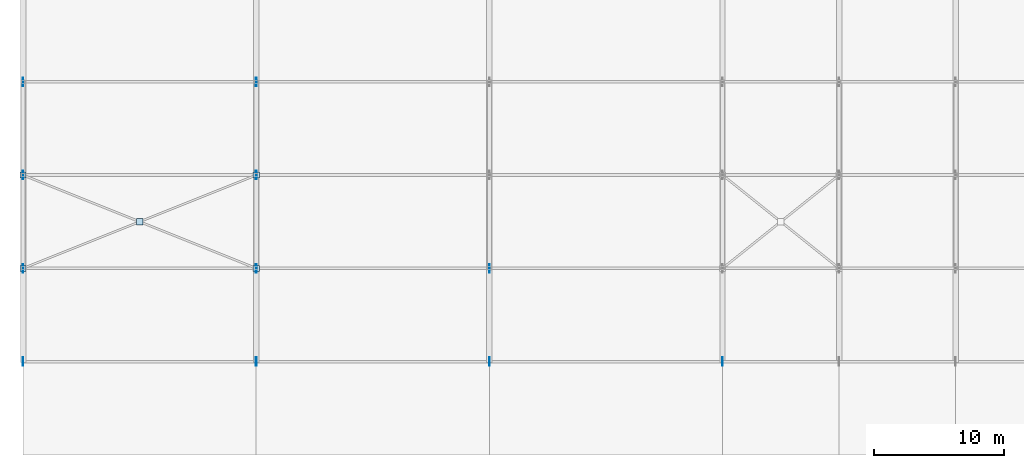
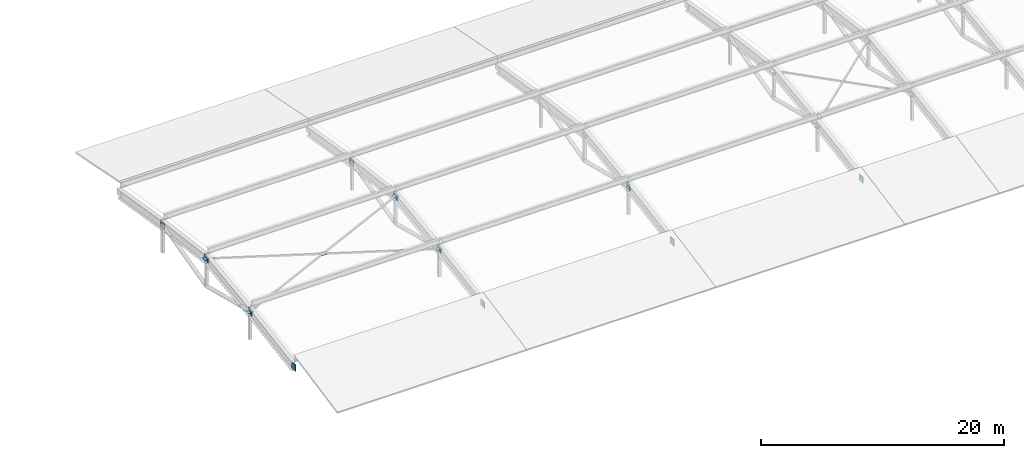
# One storey, part 57 of 78: 16 plates.
"""IFC4 building model written with IfcOpenShell, lengths in metres."""

from ifc_helpers import new_model, si_unit, direction, frame, origin, origin_2d, place, context, subcontext, project, spatial, rectangle, extrude, material, layer, layer_set, type_object, element, save


model = new_model("IFC4")

# Units and contexts
model_context = context("Model", 3, precision=1e-05, world=origin(), true_north=direction((0.0, 1.0)))
body_context = subcontext(model_context, "Body", "Model", "MODEL_VIEW")
ifc_project = project(units=[si_unit("LENGTHUNIT", "METRE"), si_unit("AREAUNIT", "SQUARE_METRE"), si_unit("VOLUMEUNIT", "CUBIC_METRE"), si_unit("PLANEANGLEUNIT", "RADIAN"), si_unit("MASSUNIT", "GRAM", prefix="KILO")], contexts=[model_context])

# Site, building, storey
site_placement = place(None, origin())
site = spatial("IfcSite", under=ifc_project, at=site_placement, CompositionType="ELEMENT")
building_placement = place(site_placement, origin())
building = spatial("IfcBuilding", under=site, at=building_placement, Name="Celestram Park Convention Centre", CompositionType="ELEMENT")
storey_placement = place(building_placement, frame((0.0, 0.0, 19.800048828125)))
storey = spatial("IfcBuildingStorey", under=building, at=storey_placement, Name="L04", CompositionType="ELEMENT", Elevation=19.800048828125)

# Plates
ifc_material = material(Name="Steel ASTM A572 Grade 50", Category="steel")
ifc_layer_1 = layer(ifc_material, 0.031982421875)
ifc_layer_set_1 = layer_set([ifc_layer_1], Name="Steel ASTM A572 Grade 50")
plate_type_1 = type_object("IfcPlateType", Name="STR-PLT-GP32", PredefinedType="USERDEFINED", material=ifc_layer_set_1)
for number, where, z_axis, x_axis, name in (
    (1, (9.0, 61.199951171875, 2.10498046875), (0.0, 0.0, 1.0), (1.0, 0.0, 0.0), "X-brace midpoint crossing gusset GP-L04-493"),
    (2, (0.0, 57.60009765625, 1.62548828125), (0.0, 0.0, 1.0), (1.0, 0.0, 0.0), "X-brace end gusset GP-L04-494"),
    (3, (18.0, 64.800048828125, 2.583984375), (0.0, 0.0, 1.0), (1.0, 0.0, 0.0), "X-brace end gusset GP-L04-495"),
    (4, (18.0, 57.60009765625, 1.62548828125), (0.0, 0.0, 1.0), (1.0, 0.0, 0.0), "X-brace end gusset GP-L04-496"),
    (5, (0.0, 64.800048828125, 2.583984375), (0.0, 0.0, 1.0), (1.0, 0.0, 0.0), "X-brace end gusset GP-L04-497"),
):
    element("IfcPlate", number, at=place(storey_placement, frame(where, z_axis=z_axis, x_axis=x_axis)), inside=storey, type_object=plate_type_1, Name=name, ObjectType="GUSSET_PLATE", PredefinedType="USERDEFINED", context=body_context, shape_type="SweptSolid", body=[
        extrude(rectangle(XDim=0.47998046875, YDim=0.47998046875, at=origin_2d()), origin(), (0.0, 0.0, 1.0), 0.031982421875),
    ])
ifc_layer_2 = layer(ifc_material, 0.050048828125)
ifc_layer_set_2 = layer_set([ifc_layer_2], Name="Steel ASTM A572 Grade 50")
plate_type_2 = type_object("IfcPlateType", Name="STR-PLT-GP50", PredefinedType="USERDEFINED", material=ifc_layer_set_2)
for number, where, z_axis, x_axis, name in (
    (6, (0.0, 50.39990234375, 0.15673828125), (0.0, 0.0, 1.0), (0.0, 1.0, 0.0), "V1 truss node gusset plate"),
    (7, (0.0, 57.60009765625, 1.34521484375), (0.0, 0.0, 1.0), (0.0, 1.0, 0.0), "V1 truss node gusset plate"),
    (8, (0.0, 64.800048828125, 2.303466796875), (0.0, 0.0, 1.0), (0.0, 1.0, 0.0), "V1 truss node gusset plate"),
    (9, (0.0, 72.0, 1.34521484375), (0.0, 0.0, 1.0), (0.0, 1.0, 0.0), "V1 truss node gusset plate"),
    (10, (18.0, 50.39990234375, 0.15673828125), (0.0, 0.0, 1.0), (0.0, 1.0, 0.0), "V1 truss node gusset plate"),
    (11, (18.0, 57.60009765625, 1.34521484375), (0.0, 0.0, 1.0), (0.0, 1.0, 0.0), "V1 truss node gusset plate"),
    (12, (18.0, 64.800048828125, 2.303466796875), (0.0, 0.0, 1.0), (0.0, 1.0, 0.0), "V1 truss node gusset plate"),
    (13, (18.0, 72.0, 1.34521484375), (0.0, 0.0, 1.0), (0.0, 1.0, 0.0), "V1 truss node gusset plate"),
    (14, (36.0, 50.39990234375, 0.15673828125), (0.0, 0.0, 1.0), (0.0, 1.0, 0.0), "V1 truss node gusset plate"),
    (15, (36.0, 57.60009765625, 1.34521484375), (0.0, 0.0, 1.0), (0.0, 1.0, 0.0), "V1 truss node gusset plate"),
    (16, (54.0, 50.39990234375, 0.15673828125), (0.0, 0.0, 1.0), (0.0, 1.0, 0.0), "V1 truss node gusset plate"),
):
    element("IfcPlate", number, at=place(storey_placement, frame(where, z_axis=z_axis, x_axis=x_axis)), inside=storey, type_object=plate_type_2, Name=name, ObjectType="GUSSET_PLATE", PredefinedType="USERDEFINED", context=body_context, shape_type="SweptSolid", body=[
        extrude(rectangle(XDim=0.64990234375, YDim=0.050048828125, at=origin_2d()), origin(), (0.0, 0.0, 1.0), 0.64990234375),
    ])

save(model, "model.ifc")
